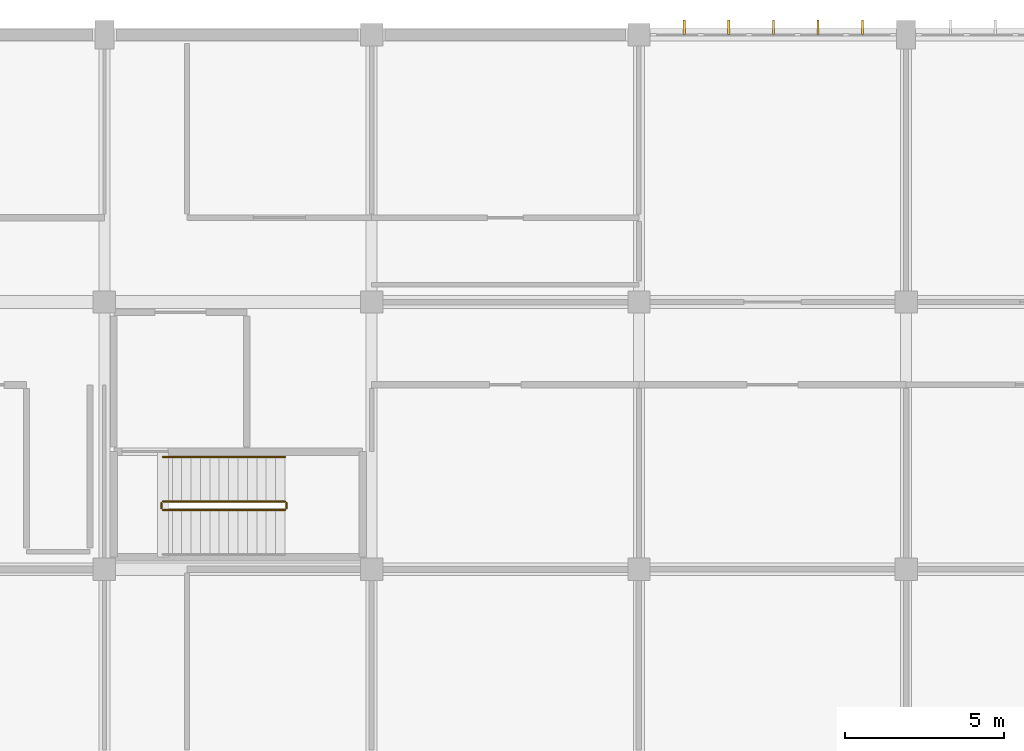
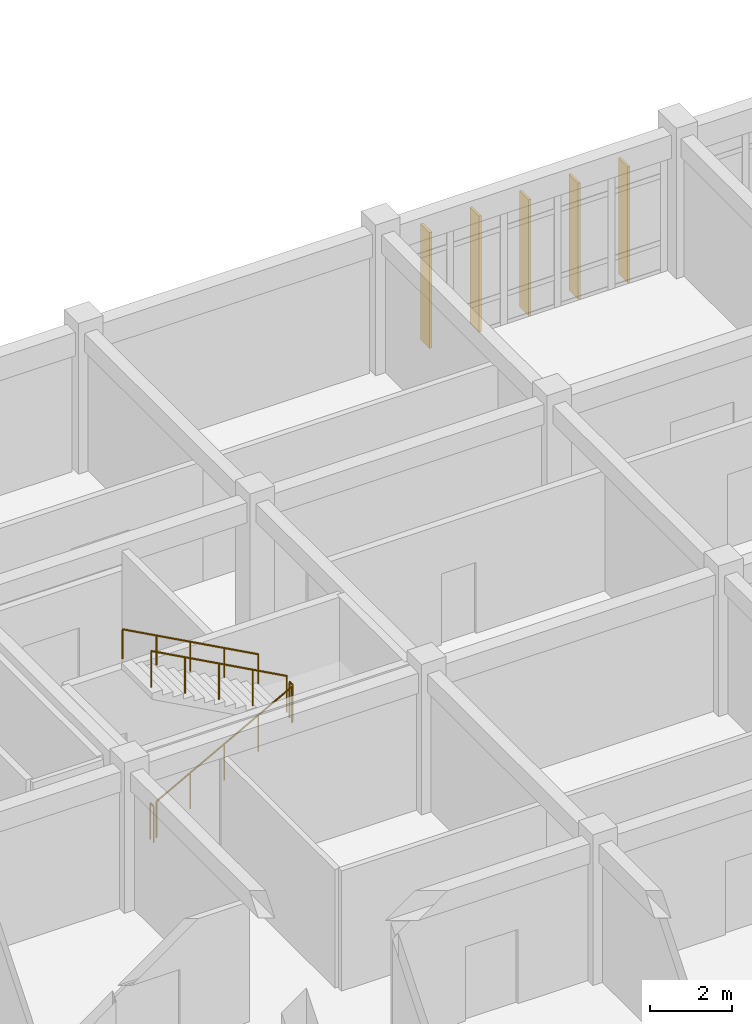
# One storey, part 143 of 144: 5 railings, 5 shading devices.
"""IFC4 building model written with IfcOpenShell, lengths in metres."""

from ifc_helpers import new_model, si_unit, direction, frame, origin, origin_2d, place, context, subcontext, project, spatial, rectangle, circle, extrude, material, material_profile, profile_set, type_object, element, save


model = new_model("IFC4")

# Units and contexts
model_context = context("Model", 3, precision=1e-05, world=origin(), true_north=direction((0.0, 1.0)))
body_context = subcontext(model_context, "Body", "Model", "MODEL_VIEW")
ifc_project = project(units=[si_unit("LENGTHUNIT", "METRE"), si_unit("AREAUNIT", "SQUARE_METRE"), si_unit("VOLUMEUNIT", "CUBIC_METRE"), si_unit("PLANEANGLEUNIT", "RADIAN"), si_unit("MASSUNIT", "GRAM", prefix="KILO")], contexts=[model_context])

# Site, building, storey
site_placement = place(None, origin())
site = spatial("IfcSite", under=ifc_project, at=site_placement, CompositionType="ELEMENT")
building_placement = place(site_placement, origin())
building = spatial("IfcBuilding", under=site, at=building_placement, Name="Bramfleet General Hospital", CompositionType="ELEMENT")
storey_placement = place(building_placement, frame((0.0, 0.0, 4.800048828125)))
storey = spatial("IfcBuildingStorey", under=building, at=storey_placement, Name="L01", CompositionType="ELEMENT", Elevation=4.800048828125)

# Railings
ifc_material_1 = material(Name="Powder-coated steel stair balustrade", Category="steel")
railing_type_1 = type_object("IfcRailingType", Name="RAIL-ST-GUARD", PredefinedType="GUARDRAIL", material=ifc_material_1)
railing_1_placement = place(storey_placement, frame((136.239990234375, 102.669921875, 0.16064453125)))
element("IfcRailing", 1, at=railing_1_placement, inside=storey, type_object=railing_type_1, Name="L01 ST-C9 stair guard 1", PredefinedType="GUARDRAIL", context=body_context, shape_type="SweptSolid", body=[
    extrude(circle(Radius=0.02392578125, at=origin_2d()), frame((0.0, 0.0, 1.076171875), z_axis=(0.878130475078, 0.0, 0.478421225218), x_axis=(0.0, 1.0, 0.0)), (0.0, 0.0, 1.0), 4.3671875),
    extrude(circle(Radius=0.02099609375, at=origin_2d()), origin(), (0.0, 0.0, 1.0), 1.052001953125),
    extrude(circle(Radius=0.02099609375, at=origin_2d()), frame((0.958740234375, 0.0, 0.5224609375)), (0.0, 0.0, 1.0), 1.052001953125),
    extrude(circle(Radius=0.02099609375, at=origin_2d()), frame((1.91748046875, 0.0, 1.044677734375)), (0.0, 0.0, 1.0), 1.052001953125),
    extrude(circle(Radius=0.02099609375, at=origin_2d()), frame((2.876220703125, 0.0, 1.56689453125)), (0.0, 0.0, 1.0), 1.052001953125),
    extrude(circle(Radius=0.02099609375, at=origin_2d()), frame((3.8349609375, 0.0, 2.08935546875)), (0.0, 0.0, 1.0), 1.052001953125),
])
railing_2_placement = place(storey_placement, frame((140.125, 102.719970703125, 2.25)))
element("IfcRailing", 2, at=railing_2_placement, inside=storey, type_object=railing_type_1, Name="L01 ST-C9 stair guard 2", PredefinedType="GUARDRAIL", context=body_context, shape_type="SweptSolid", body=[
    extrude(circle(Radius=0.02392578125, at=origin_2d()), frame((0.0, 0.0, 1.076171875), z_axis=(0.0, 1.0, 0.0), x_axis=(-1.0, 0.0, 0.0)), (0.0, 0.0, 1.0), 0.159912109375),
    extrude(circle(Radius=0.02099609375, at=origin_2d()), origin(), (0.0, 0.0, 1.0), 1.052001953125),
    extrude(circle(Radius=0.02099609375, at=origin_2d()), frame((0.0, 0.159912109375, 0.0)), (0.0, 0.0, 1.0), 1.052001953125),
])
railing_3_placement = place(storey_placement, frame((140.074951171875, 102.929931640625, 2.41064453125)))
element("IfcRailing", 3, at=railing_3_placement, inside=storey, type_object=railing_type_1, Name="L01 ST-C9 stair guard 3", PredefinedType="GUARDRAIL", context=body_context, shape_type="SweptSolid", body=[
    extrude(circle(Radius=0.02392578125, at=origin_2d()), frame((0.0, 0.0, 1.076171875), z_axis=(-0.878130475078, 0.0, 0.478421225218), x_axis=(0.0, -1.0, 0.0)), (0.0, 0.0, 1.0), 4.3671875),
    extrude(circle(Radius=0.02099609375, at=origin_2d()), origin(), (0.0, 0.0, 1.0), 1.052001953125),
    extrude(circle(Radius=0.02099609375, at=origin_2d()), frame((-0.958740234375, 0.0, 0.5224609375)), (0.0, 0.0, 1.0), 1.052001953125),
    extrude(circle(Radius=0.02099609375, at=origin_2d()), frame((-1.91748046875, 0.0, 1.044677734375)), (0.0, 0.0, 1.0), 1.052001953125),
    extrude(circle(Radius=0.02099609375, at=origin_2d()), frame((-2.876220703125, 0.0, 1.56689453125)), (0.0, 0.0, 1.0), 1.052001953125),
    extrude(circle(Radius=0.02099609375, at=origin_2d()), frame((-3.8349609375, 0.0, 2.08935546875)), (0.0, 0.0, 1.0), 1.052001953125),
])
railing_4_placement = place(storey_placement, frame((136.18994140625, 102.719970703125, 0.0)))
element("IfcRailing", 4, at=railing_4_placement, inside=storey, type_object=railing_type_1, Name="L01 ST-C9 stair guard 4", PredefinedType="GUARDRAIL", context=body_context, shape_type="SweptSolid", body=[
    extrude(circle(Radius=0.02392578125, at=origin_2d()), frame((0.0, 0.0, 1.076171875), z_axis=(0.0, 1.0, 0.0), x_axis=(-1.0, 0.0, 0.0)), (0.0, 0.0, 1.0), 0.159912109375),
    extrude(circle(Radius=0.02099609375, at=origin_2d()), origin(), (0.0, 0.0, 1.0), 1.052001953125),
    extrude(circle(Radius=0.02099609375, at=origin_2d()), frame((0.0, 0.159912109375, 0.0)), (0.0, 0.0, 1.0), 1.052001953125),
])
ifc_material_2 = material(Name="Stainless steel 1.4301 stair handrail", Category="steel")
railing_type_2 = type_object("IfcRailingType", Name="RAIL-ST-HND", PredefinedType="HANDRAIL", material=ifc_material_2)
railing_5_placement = place(storey_placement, frame((140.074951171875, 104.330078125, 2.41064453125)))
element("IfcRailing", 5, at=railing_5_placement, inside=storey, type_object=railing_type_2, Name="L01 ST-C9 stair handrail 2", PredefinedType="HANDRAIL", context=body_context, shape_type="SweptSolid", body=[
    extrude(circle(Radius=0.02392578125, at=origin_2d()), frame((0.0, 0.0, 0.8759765625), z_axis=(-0.878130475078, 0.0, 0.478421225218), x_axis=(0.0, -1.0, 0.0)), (0.0, 0.0, 1.0), 4.3671875),
    extrude(circle(Radius=0.02099609375, at=origin_2d()), origin(), (0.0, 0.0, 1.0), 0.851806640625),
    extrude(circle(Radius=0.02099609375, at=origin_2d()), frame((-0.958740234375, 0.0, 0.5224609375)), (0.0, 0.0, 1.0), 0.851806640625),
    extrude(circle(Radius=0.02099609375, at=origin_2d()), frame((-1.91748046875, 0.0, 1.044677734375)), (0.0, 0.0, 1.0), 0.851806640625),
    extrude(circle(Radius=0.02099609375, at=origin_2d()), frame((-2.876220703125, 0.0, 1.56689453125)), (0.0, 0.0, 1.0), 0.851806640625),
    extrude(circle(Radius=0.02099609375, at=origin_2d()), frame((-3.8349609375, 0.0, 2.08935546875)), (0.0, 0.0, 1.0), 0.851806640625),
])

# Shading devices
ifc_material_3 = material(Name="Treated European larch timber", Category="wood")
ifc_material_profile = material_profile(ifc_material_3, rectangle(XDim=0.06494140625, YDim=0.449951171875, at=origin_2d()), Name="LARCH FIN 450x65")
ifc_profile_set = profile_set([ifc_material_profile], Name="Treated European larch timber")
shading_device_type = type_object("IfcShadingDeviceType", Name="SHD-FIN-450", PredefinedType="USERDEFINED", material=ifc_profile_set)
for number, where, z_axis, x_axis, name in (
    (6, (152.625, 117.840087890625, -0.02001953125), (0.0, 0.0, 1.0), (1.0, 0.0, 0.0), "L01 Larch Timber Shading Fin 184"),
    (7, (154.02490234375, 117.840087890625, -0.02001953125), (0.0, 0.0, 1.0), (1.0, 0.0, 0.0), "L01 Larch Timber Shading Fin 185"),
    (8, (155.425048828125, 117.840087890625, -0.02001953125), (0.0, 0.0, 1.0), (1.0, 0.0, 0.0), "L01 Larch Timber Shading Fin 186"),
    (9, (156.824951171875, 117.840087890625, -0.02001953125), (0.0, 0.0, 1.0), (1.0, 0.0, 0.0), "L01 Larch Timber Shading Fin 187"),
    (10, (158.22509765625, 117.840087890625, -0.02001953125), (0.0, 0.0, 1.0), (1.0, 0.0, 0.0), "L01 Larch Timber Shading Fin 188"),
):
    element("IfcShadingDevice", number, at=place(storey_placement, frame(where, z_axis=z_axis, x_axis=x_axis)), inside=storey, type_object=shading_device_type, Name=name, ObjectType="Fin", PredefinedType="USERDEFINED", context=body_context, shape_type="SweptSolid", body=[
        extrude(rectangle(XDim=0.06494140625, YDim=0.449951171875, at=origin_2d()), origin(), (0.0, 0.0, 1.0), 3.469970703125),
    ])

save(model, "model.ifc")
